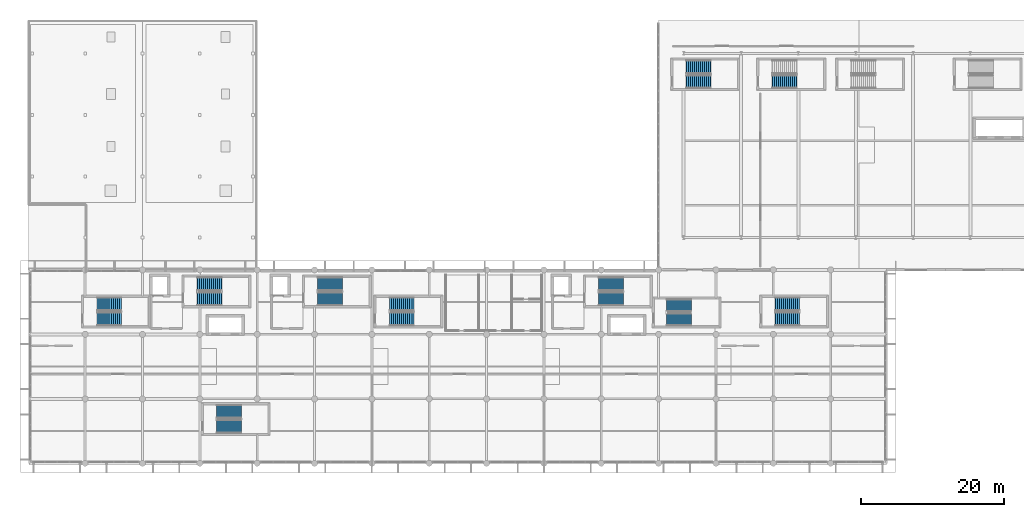
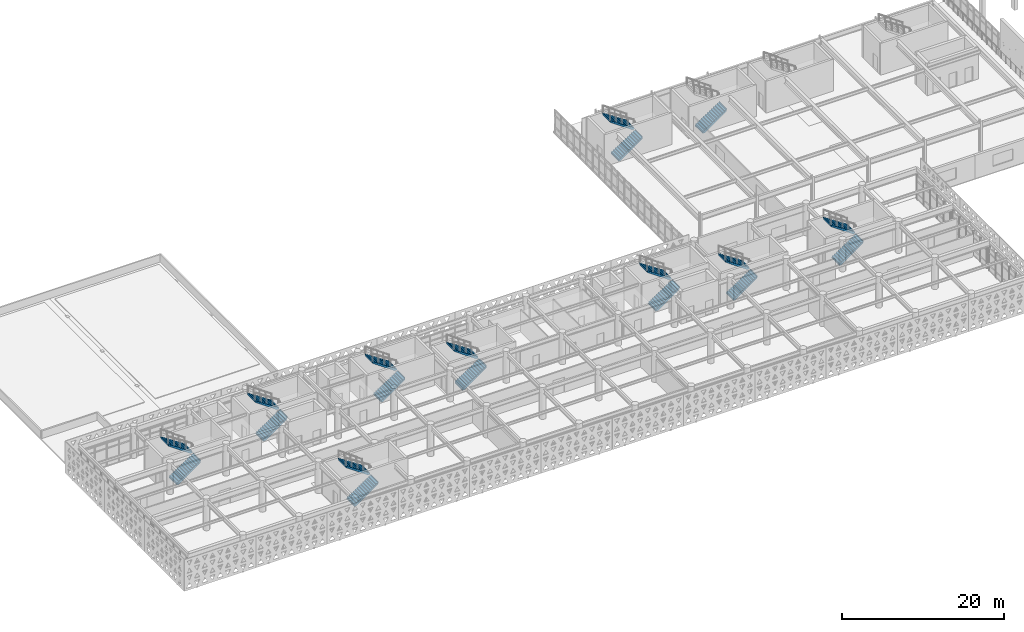
# One storey, part 41 of 54: 19 stair flights, 10 elements without a shape of their own.
"""IFC4 building model written with IfcOpenShell, lengths in metres."""

from ifc_helpers import new_model, si_unit, direction, frame, origin, place, context, subcontext, project, spatial, polyline, outline, extrude, material, type_object, element, aggregate, save


model = new_model("IFC4")

# Units and contexts
model_context = context("Model", 3, precision=1e-05, world=origin(), true_north=direction((0.0, 1.0)))
body_context = subcontext(model_context, "Body", "Model", "MODEL_VIEW")
ifc_project = project(units=[si_unit("LENGTHUNIT", "METRE"), si_unit("AREAUNIT", "SQUARE_METRE"), si_unit("VOLUMEUNIT", "CUBIC_METRE"), si_unit("PLANEANGLEUNIT", "RADIAN"), si_unit("MASSUNIT", "GRAM", prefix="KILO")], contexts=[model_context])

# Site, building, storey
site_placement = place(None, origin())
site = spatial("IfcSite", under=ifc_project, at=site_placement, CompositionType="ELEMENT")
building_placement = place(site_placement, origin())
building = spatial("IfcBuilding", under=site, at=building_placement, Name="Tlacozan Convention Centre", CompositionType="ELEMENT")
storey_placement = place(building_placement, frame((0.0, 0.0, 11.39990234375)))
storey = spatial("IfcBuildingStorey", under=building, at=storey_placement, Name="L02", CompositionType="ELEMENT", Elevation=11.39990234375)

# Stair, stair flights
ifc_material = material(Name="Concrete C40/50", Category="concrete")
stair_type_1 = type_object("IfcStairType", Name="Protected Dogleg Stair W175 H48", PredefinedType="HALF_TURN_STAIR", material=ifc_material)
stair_1_placement = place(storey_placement, origin())
stair_1 = element("IfcStair", 1, at=stair_1_placement, inside=storey, type_object=stair_type_1, Name="L02 East Belvedere Congress Stair", PredefinedType="HALF_TURN_STAIR")
stair_flight_type_1 = type_object("IfcStairFlightType", Name="Concrete Stair Flight W175 H48", PredefinedType="STRAIGHT", material=ifc_material)
stair_flight_1_placement = place(storey_placement, frame((89.14990234375, 20.074951171875, 0.0), z_axis=(0.0, 0.0, 1.0), x_axis=(1.0, 0.0, 0.0)))
stair_flight_1 = element("IfcStairFlight", 2, at=stair_flight_1_placement, type_object=stair_flight_type_1, Name="ST-15 flight 1", NumberOfRisers=13, NumberOfTreads=12, PredefinedType="STRAIGHT", RiserHeight=0.184615385, TreadLength=0.28, context=body_context, shape_type="SweptSolid", body=[
    extrude(outline(polyline([(-0.044921875, -0.14990234375), (-0.044921875, 0.0), (0.0, 0.0), (0.0, 0.1845703125), (0.280029296875, 0.1845703125), (0.280029296875, 0.369140625), (0.56005859375, 0.369140625), (0.56005859375, 0.553955078125), (0.840087890625, 0.553955078125), (0.840087890625, 0.738525390625), (1.1201171875, 0.738525390625), (1.1201171875, 0.923095703125), (1.39990234375, 0.923095703125), (1.39990234375, 1.107666015625), (1.679931640625, 1.107666015625), (1.679931640625, 1.292236328125), (1.9599609375, 1.292236328125), (1.9599609375, 1.476806640625), (2.239990234375, 1.476806640625), (2.239990234375, 1.66162109375), (2.52001953125, 1.66162109375), (2.52001953125, 1.84619140625), (2.800048828125, 1.84619140625), (2.800048828125, 2.03076171875), (3.080078125, 2.03076171875), (3.080078125, 2.21533203125), (3.360107421875, 2.21533203125), (3.360107421875, 2.39990234375), (3.405029296875, 2.39990234375), (3.405029296875, 2.25), (3.360107421875, 2.035888671875), (0.272216796875, -0.14990234375), (-0.044921875, -0.14990234375)])), frame((0.0, 0.875, 0.0), z_axis=(0.0, -1.0, 0.0), x_axis=(1.0, 0.0, 0.0)), (0.0, 0.0, 1.0), 1.75),
])
stair_flight_2_placement = place(storey_placement, frame((92.510009765625, 22.02490234375, 2.400146484375), z_axis=(0.0, 0.0, 1.0), x_axis=(-1.0, 0.0, 0.0)))
stair_flight_2 = element("IfcStairFlight", 3, at=stair_flight_2_placement, type_object=stair_flight_type_1, Name="ST-15 flight 2", NumberOfRisers=13, NumberOfTreads=12, PredefinedType="STRAIGHT", RiserHeight=0.184615385, TreadLength=0.28, context=body_context, shape_type="SweptSolid", body=[
    extrude(outline(polyline([(-0.044921875, -0.14990234375), (-0.044921875, 0.0), (0.0, 0.0), (0.0, 0.1845703125), (0.280029296875, 0.1845703125), (0.280029296875, 0.369140625), (0.56005859375, 0.369140625), (0.56005859375, 0.553955078125), (0.840087890625, 0.553955078125), (0.840087890625, 0.738525390625), (1.1201171875, 0.738525390625), (1.1201171875, 0.923095703125), (1.39990234375, 0.923095703125), (1.39990234375, 1.107666015625), (1.679931640625, 1.107666015625), (1.679931640625, 1.292236328125), (1.9599609375, 1.292236328125), (1.9599609375, 1.476806640625), (2.239990234375, 1.476806640625), (2.239990234375, 1.66162109375), (2.52001953125, 1.66162109375), (2.52001953125, 1.84619140625), (2.800048828125, 1.84619140625), (2.800048828125, 2.03076171875), (3.080078125, 2.03076171875), (3.080078125, 2.21533203125), (3.360107421875, 2.21533203125), (3.360107421875, 2.39990234375), (3.405029296875, 2.39990234375), (3.405029296875, 2.25), (3.360107421875, 2.035888671875), (0.272216796875, -0.14990234375), (-0.044921875, -0.14990234375)])), frame((0.0, 0.875, 0.0), z_axis=(0.0, -1.0, 0.0), x_axis=(1.0, 0.0, 0.0)), (0.0, 0.0, 1.0), 1.75),
])
aggregate(stair_1, [stair_flight_1, stair_flight_2])

stair_type_2 = type_object("IfcStairType", Name="Protected Dogleg Stair W188 H48", PredefinedType="HALF_TURN_STAIR", material=ifc_material)
stair_2_placement = place(storey_placement, origin())
stair_2 = element("IfcStair", 4, at=stair_2_placement, inside=storey, type_object=stair_type_2, Name="L02 West Congress Core Stair ST-01", PredefinedType="HALF_TURN_STAIR")
stair_flight_type_2 = type_object("IfcStairFlightType", Name="Concrete Stair Flight W188 H48", PredefinedType="STRAIGHT", material=ifc_material)
stair_flight_3_placement = place(storey_placement, frame((23.679931640625, 22.93994140625, 0.0), z_axis=(0.0, 0.0, 1.0), x_axis=(1.0, 0.0, 0.0)))
stair_flight_3 = element("IfcStairFlight", 5, at=stair_flight_3_placement, type_object=stair_flight_type_2, Name="ST-01 flight 1", NumberOfRisers=13, NumberOfTreads=12, PredefinedType="STRAIGHT", RiserHeight=0.184615385, TreadLength=0.28, context=body_context, shape_type="SweptSolid", body=[
    extrude(outline(polyline([(-0.044921875, -0.14990234375), (-0.044921875, 0.0), (0.0, 0.0), (0.0, 0.1845703125), (0.280029296875, 0.1845703125), (0.280029296875, 0.369140625), (0.56005859375, 0.369140625), (0.56005859375, 0.553955078125), (0.840087890625, 0.553955078125), (0.840087890625, 0.738525390625), (1.1201171875, 0.738525390625), (1.1201171875, 0.923095703125), (1.39990234375, 0.923095703125), (1.39990234375, 1.107666015625), (1.679931640625, 1.107666015625), (1.679931640625, 1.292236328125), (1.9599609375, 1.292236328125), (1.9599609375, 1.476806640625), (2.239990234375, 1.476806640625), (2.239990234375, 1.66162109375), (2.52001953125, 1.66162109375), (2.52001953125, 1.84619140625), (2.800048828125, 1.84619140625), (2.800048828125, 2.03076171875), (3.080078125, 2.03076171875), (3.080078125, 2.21533203125), (3.360107421875, 2.21533203125), (3.360107421875, 2.39990234375), (3.405029296875, 2.39990234375), (3.405029296875, 2.25), (3.360107421875, 2.035888671875), (0.272216796875, -0.14990234375), (-0.044921875, -0.14990234375)])), frame((0.0, 0.93994140625, 0.0), z_axis=(0.0, -1.0, 0.0), x_axis=(1.0, 0.0, 0.0)), (0.0, 0.0, 1.0), 1.8798828125),
])
stair_flight_4_placement = place(storey_placement, frame((27.0400390625, 25.02001953125, 2.400146484375), z_axis=(0.0, 0.0, 1.0), x_axis=(-1.0, 0.0, 0.0)))
stair_flight_4 = element("IfcStairFlight", 6, at=stair_flight_4_placement, type_object=stair_flight_type_2, Name="ST-01 flight 2", NumberOfRisers=13, NumberOfTreads=12, PredefinedType="STRAIGHT", RiserHeight=0.184615385, TreadLength=0.28, context=body_context, shape_type="SweptSolid", body=[
    extrude(outline(polyline([(-0.044921875, -0.14990234375), (-0.044921875, 0.0), (0.0, 0.0), (0.0, 0.1845703125), (0.280029296875, 0.1845703125), (0.280029296875, 0.369140625), (0.56005859375, 0.369140625), (0.56005859375, 0.553955078125), (0.840087890625, 0.553955078125), (0.840087890625, 0.738525390625), (1.1201171875, 0.738525390625), (1.1201171875, 0.923095703125), (1.39990234375, 0.923095703125), (1.39990234375, 1.107666015625), (1.679931640625, 1.107666015625), (1.679931640625, 1.292236328125), (1.9599609375, 1.292236328125), (1.9599609375, 1.476806640625), (2.239990234375, 1.476806640625), (2.239990234375, 1.66162109375), (2.52001953125, 1.66162109375), (2.52001953125, 1.84619140625), (2.800048828125, 1.84619140625), (2.800048828125, 2.03076171875), (3.080078125, 2.03076171875), (3.080078125, 2.21533203125), (3.360107421875, 2.21533203125), (3.360107421875, 2.39990234375), (3.405029296875, 2.39990234375), (3.405029296875, 2.25), (3.360107421875, 2.035888671875), (0.272216796875, -0.14990234375), (-0.044921875, -0.14990234375)])), frame((0.0, 0.93994140625, 0.0), z_axis=(0.0, -1.0, 0.0), x_axis=(1.0, 0.0, 0.0)), (0.0, 0.0, 1.0), 1.8798828125),
])
aggregate(stair_2, [stair_flight_3, stair_flight_4])

stair_3_placement = place(storey_placement, origin())
stair_3 = element("IfcStair", 7, at=stair_3_placement, inside=storey, type_object=stair_type_2, Name="L02 East Congress Core Stair ST-02", PredefinedType="HALF_TURN_STAIR")
stair_flight_5_placement = place(storey_placement, frame((79.679931640625, 22.93994140625, 0.0), z_axis=(0.0, 0.0, 1.0), x_axis=(1.0, 0.0, 0.0)))
stair_flight_5 = element("IfcStairFlight", 8, at=stair_flight_5_placement, type_object=stair_flight_type_2, Name="ST-02 flight 1", NumberOfRisers=13, NumberOfTreads=12, PredefinedType="STRAIGHT", RiserHeight=0.184615385, TreadLength=0.28, context=body_context, shape_type="SweptSolid", body=[
    extrude(outline(polyline([(-0.044921875, -0.14990234375), (-0.044921875, 0.0), (0.0, 0.0), (0.0, 0.1845703125), (0.280029296875, 0.1845703125), (0.280029296875, 0.369140625), (0.56005859375, 0.369140625), (0.56005859375, 0.553955078125), (0.840087890625, 0.553955078125), (0.840087890625, 0.738525390625), (1.1201171875, 0.738525390625), (1.1201171875, 0.923095703125), (1.39990234375, 0.923095703125), (1.39990234375, 1.107666015625), (1.679931640625, 1.107666015625), (1.679931640625, 1.292236328125), (1.9599609375, 1.292236328125), (1.9599609375, 1.476806640625), (2.239990234375, 1.476806640625), (2.239990234375, 1.66162109375), (2.52001953125, 1.66162109375), (2.52001953125, 1.84619140625), (2.800048828125, 1.84619140625), (2.800048828125, 2.03076171875), (3.080078125, 2.03076171875), (3.080078125, 2.21533203125), (3.360107421875, 2.21533203125), (3.360107421875, 2.39990234375), (3.405029296875, 2.39990234375), (3.405029296875, 2.25), (3.360107421875, 2.035888671875), (0.272216796875, -0.14990234375), (-0.044921875, -0.14990234375)])), frame((0.0, 0.93994140625, 0.0), z_axis=(0.0, -1.0, 0.0), x_axis=(1.0, 0.0, 0.0)), (0.0, 0.0, 1.0), 1.8798828125),
])
stair_flight_6_placement = place(storey_placement, frame((83.0400390625, 25.02001953125, 2.400146484375), z_axis=(0.0, 0.0, 1.0), x_axis=(-1.0, 0.0, 0.0)))
stair_flight_6 = element("IfcStairFlight", 9, at=stair_flight_6_placement, type_object=stair_flight_type_2, Name="ST-02 flight 2", NumberOfRisers=13, NumberOfTreads=12, PredefinedType="STRAIGHT", RiserHeight=0.184615385, TreadLength=0.28, context=body_context, shape_type="SweptSolid", body=[
    extrude(outline(polyline([(-0.044921875, -0.14990234375), (-0.044921875, 0.0), (0.0, 0.0), (0.0, 0.1845703125), (0.280029296875, 0.1845703125), (0.280029296875, 0.369140625), (0.56005859375, 0.369140625), (0.56005859375, 0.553955078125), (0.840087890625, 0.553955078125), (0.840087890625, 0.738525390625), (1.1201171875, 0.738525390625), (1.1201171875, 0.923095703125), (1.39990234375, 0.923095703125), (1.39990234375, 1.107666015625), (1.679931640625, 1.107666015625), (1.679931640625, 1.292236328125), (1.9599609375, 1.292236328125), (1.9599609375, 1.476806640625), (2.239990234375, 1.476806640625), (2.239990234375, 1.66162109375), (2.52001953125, 1.66162109375), (2.52001953125, 1.84619140625), (2.800048828125, 1.84619140625), (2.800048828125, 2.03076171875), (3.080078125, 2.03076171875), (3.080078125, 2.21533203125), (3.360107421875, 2.21533203125), (3.360107421875, 2.39990234375), (3.405029296875, 2.39990234375), (3.405029296875, 2.25), (3.360107421875, 2.035888671875), (0.272216796875, -0.14990234375), (-0.044921875, -0.14990234375)])), frame((0.0, 0.93994140625, 0.0), z_axis=(0.0, -1.0, 0.0), x_axis=(1.0, 0.0, 0.0)), (0.0, 0.0, 1.0), 1.8798828125),
])
aggregate(stair_3, [stair_flight_5, stair_flight_6])

stair_4_placement = place(storey_placement, origin())
stair_4 = element("IfcStair", 10, at=stair_4_placement, inside=storey, type_object=stair_type_2, Name="L02 Central Congress Core Stair ST-04", PredefinedType="HALF_TURN_STAIR")
stair_flight_7_placement = place(storey_placement, frame((40.47998046875, 22.93994140625, 0.0), z_axis=(0.0, 0.0, 1.0), x_axis=(1.0, 0.0, 0.0)))
stair_flight_7 = element("IfcStairFlight", 11, at=stair_flight_7_placement, type_object=stair_flight_type_2, Name="ST-04 flight 1", NumberOfRisers=13, NumberOfTreads=12, PredefinedType="STRAIGHT", RiserHeight=0.184615385, TreadLength=0.28, context=body_context, shape_type="SweptSolid", body=[
    extrude(outline(polyline([(-0.044921875, -0.14990234375), (-0.044921875, 0.0), (0.0, 0.0), (0.0, 0.1845703125), (0.280029296875, 0.1845703125), (0.280029296875, 0.369140625), (0.56005859375, 0.369140625), (0.56005859375, 0.553955078125), (0.840087890625, 0.553955078125), (0.840087890625, 0.738525390625), (1.1201171875, 0.738525390625), (1.1201171875, 0.923095703125), (1.39990234375, 0.923095703125), (1.39990234375, 1.107666015625), (1.679931640625, 1.107666015625), (1.679931640625, 1.292236328125), (1.9599609375, 1.292236328125), (1.9599609375, 1.476806640625), (2.239990234375, 1.476806640625), (2.239990234375, 1.66162109375), (2.52001953125, 1.66162109375), (2.52001953125, 1.84619140625), (2.800048828125, 1.84619140625), (2.800048828125, 2.03076171875), (3.080078125, 2.03076171875), (3.080078125, 2.21533203125), (3.360107421875, 2.21533203125), (3.360107421875, 2.39990234375), (3.405029296875, 2.39990234375), (3.405029296875, 2.25), (3.360107421875, 2.035888671875), (0.272216796875, -0.14990234375), (-0.044921875, -0.14990234375)])), frame((0.0, 0.93994140625, 0.0), z_axis=(0.0, -1.0, 0.0), x_axis=(1.0, 0.0, 0.0)), (0.0, 0.0, 1.0), 1.8798828125),
])
stair_flight_8_placement = place(storey_placement, frame((43.840087890625, 25.02001953125, 2.400146484375), z_axis=(0.0, 0.0, 1.0), x_axis=(-1.0, 0.0, 0.0)))
stair_flight_8 = element("IfcStairFlight", 12, at=stair_flight_8_placement, type_object=stair_flight_type_2, Name="ST-04 flight 2", NumberOfRisers=13, NumberOfTreads=12, PredefinedType="STRAIGHT", RiserHeight=0.184615385, TreadLength=0.28, context=body_context, shape_type="SweptSolid", body=[
    extrude(outline(polyline([(-0.044921875, -0.14990234375), (-0.044921875, 0.0), (0.0, 0.0), (0.0, 0.1845703125), (0.280029296875, 0.1845703125), (0.280029296875, 0.369140625), (0.56005859375, 0.369140625), (0.56005859375, 0.553955078125), (0.840087890625, 0.553955078125), (0.840087890625, 0.738525390625), (1.1201171875, 0.738525390625), (1.1201171875, 0.923095703125), (1.39990234375, 0.923095703125), (1.39990234375, 1.107666015625), (1.679931640625, 1.107666015625), (1.679931640625, 1.292236328125), (1.9599609375, 1.292236328125), (1.9599609375, 1.476806640625), (2.239990234375, 1.476806640625), (2.239990234375, 1.66162109375), (2.52001953125, 1.66162109375), (2.52001953125, 1.84619140625), (2.800048828125, 1.84619140625), (2.800048828125, 2.03076171875), (3.080078125, 2.03076171875), (3.080078125, 2.21533203125), (3.360107421875, 2.21533203125), (3.360107421875, 2.39990234375), (3.405029296875, 2.39990234375), (3.405029296875, 2.25), (3.360107421875, 2.035888671875), (0.272216796875, -0.14990234375), (-0.044921875, -0.14990234375)])), frame((0.0, 0.93994140625, 0.0), z_axis=(0.0, -1.0, 0.0), x_axis=(1.0, 0.0, 0.0)), (0.0, 0.0, 1.0), 1.8798828125),
])
aggregate(stair_4, [stair_flight_7, stair_flight_8])

stair_5_placement = place(storey_placement, origin())
stair_5 = element("IfcStair", 13, at=stair_5_placement, inside=storey, type_object=stair_type_2, Name="L02 East Congress Stair", PredefinedType="HALF_TURN_STAIR")
stair_flight_9_placement = place(storey_placement, frame((104.280029296875, 20.139892578125, 0.0), z_axis=(0.0, 0.0, 1.0), x_axis=(1.0, 0.0, 0.0)))
stair_flight_9 = element("IfcStairFlight", 14, at=stair_flight_9_placement, type_object=stair_flight_type_2, Name="ST-05 flight 1", NumberOfRisers=13, NumberOfTreads=12, PredefinedType="STRAIGHT", RiserHeight=0.184615385, TreadLength=0.28, context=body_context, shape_type="SweptSolid", body=[
    extrude(outline(polyline([(-0.044921875, -0.14990234375), (-0.044921875, 0.0), (0.0, 0.0), (0.0, 0.1845703125), (0.280029296875, 0.1845703125), (0.280029296875, 0.369140625), (0.56005859375, 0.369140625), (0.56005859375, 0.553955078125), (0.840087890625, 0.553955078125), (0.840087890625, 0.738525390625), (1.1201171875, 0.738525390625), (1.1201171875, 0.923095703125), (1.39990234375, 0.923095703125), (1.39990234375, 1.107666015625), (1.679931640625, 1.107666015625), (1.679931640625, 1.292236328125), (1.9599609375, 1.292236328125), (1.9599609375, 1.476806640625), (2.239990234375, 1.476806640625), (2.239990234375, 1.66162109375), (2.52001953125, 1.66162109375), (2.52001953125, 1.84619140625), (2.800048828125, 1.84619140625), (2.800048828125, 2.03076171875), (3.080078125, 2.03076171875), (3.080078125, 2.21533203125), (3.360107421875, 2.21533203125), (3.360107421875, 2.39990234375), (3.405029296875, 2.39990234375), (3.405029296875, 2.25), (3.360107421875, 2.035888671875), (0.272216796875, -0.14990234375), (-0.044921875, -0.14990234375)])), frame((0.0, 0.93994140625, 0.0), z_axis=(0.0, -1.0, 0.0), x_axis=(1.0, 0.0, 0.0)), (0.0, 0.0, 1.0), 1.8798828125),
])
stair_flight_10_placement = place(storey_placement, frame((107.639892578125, 22.219970703125, 2.400146484375), z_axis=(0.0, 0.0, 1.0), x_axis=(-1.0, 0.0, 0.0)))
stair_flight_10 = element("IfcStairFlight", 15, at=stair_flight_10_placement, type_object=stair_flight_type_2, Name="ST-05 flight 2", NumberOfRisers=13, NumberOfTreads=12, PredefinedType="STRAIGHT", RiserHeight=0.184615385, TreadLength=0.28, context=body_context, shape_type="SweptSolid", body=[
    extrude(outline(polyline([(-0.044921875, -0.14990234375), (-0.044921875, 0.0), (0.0, 0.0), (0.0, 0.1845703125), (0.280029296875, 0.1845703125), (0.280029296875, 0.369140625), (0.56005859375, 0.369140625), (0.56005859375, 0.553955078125), (0.840087890625, 0.553955078125), (0.840087890625, 0.738525390625), (1.1201171875, 0.738525390625), (1.1201171875, 0.923095703125), (1.39990234375, 0.923095703125), (1.39990234375, 1.107666015625), (1.679931640625, 1.107666015625), (1.679931640625, 1.292236328125), (1.9599609375, 1.292236328125), (1.9599609375, 1.476806640625), (2.239990234375, 1.476806640625), (2.239990234375, 1.66162109375), (2.52001953125, 1.66162109375), (2.52001953125, 1.84619140625), (2.800048828125, 1.84619140625), (2.800048828125, 2.03076171875), (3.080078125, 2.03076171875), (3.080078125, 2.21533203125), (3.360107421875, 2.21533203125), (3.360107421875, 2.39990234375), (3.405029296875, 2.39990234375), (3.405029296875, 2.25), (3.360107421875, 2.035888671875), (0.272216796875, -0.14990234375), (-0.044921875, -0.14990234375)])), frame((0.0, 0.93994140625, 0.0), z_axis=(0.0, -1.0, 0.0), x_axis=(1.0, 0.0, 0.0)), (0.0, 0.0, 1.0), 1.8798828125),
])
aggregate(stair_5, [stair_flight_9, stair_flight_10])

stair_6_placement = place(storey_placement, origin())
stair_6 = element("IfcStair", 16, at=stair_6_placement, inside=storey, type_object=stair_type_2, Name="L02 West Belvedere Congress Stair", PredefinedType="HALF_TURN_STAIR")
stair_flight_11_placement = place(storey_placement, frame((9.679931640625, 20.139892578125, 0.0), z_axis=(0.0, 0.0, 1.0), x_axis=(1.0, 0.0, 0.0)))
stair_flight_11 = element("IfcStairFlight", 17, at=stair_flight_11_placement, type_object=stair_flight_type_2, Name="ST-13 flight 1", NumberOfRisers=13, NumberOfTreads=12, PredefinedType="STRAIGHT", RiserHeight=0.184615385, TreadLength=0.28, context=body_context, shape_type="SweptSolid", body=[
    extrude(outline(polyline([(-0.044921875, -0.14990234375), (-0.044921875, 0.0), (0.0, 0.0), (0.0, 0.1845703125), (0.280029296875, 0.1845703125), (0.280029296875, 0.369140625), (0.56005859375, 0.369140625), (0.56005859375, 0.553955078125), (0.840087890625, 0.553955078125), (0.840087890625, 0.738525390625), (1.1201171875, 0.738525390625), (1.1201171875, 0.923095703125), (1.39990234375, 0.923095703125), (1.39990234375, 1.107666015625), (1.679931640625, 1.107666015625), (1.679931640625, 1.292236328125), (1.9599609375, 1.292236328125), (1.9599609375, 1.476806640625), (2.239990234375, 1.476806640625), (2.239990234375, 1.66162109375), (2.52001953125, 1.66162109375), (2.52001953125, 1.84619140625), (2.800048828125, 1.84619140625), (2.800048828125, 2.03076171875), (3.080078125, 2.03076171875), (3.080078125, 2.21533203125), (3.360107421875, 2.21533203125), (3.360107421875, 2.39990234375), (3.405029296875, 2.39990234375), (3.405029296875, 2.25), (3.360107421875, 2.035888671875), (0.272216796875, -0.14990234375), (-0.044921875, -0.14990234375)])), frame((0.0, 0.93994140625, 0.0), z_axis=(0.0, -1.0, 0.0), x_axis=(1.0, 0.0, 0.0)), (0.0, 0.0, 1.0), 1.8798828125),
])
stair_flight_12_placement = place(storey_placement, frame((13.0400390625, 22.219970703125, 2.400146484375), z_axis=(0.0, 0.0, 1.0), x_axis=(-1.0, 0.0, 0.0)))
stair_flight_12 = element("IfcStairFlight", 18, at=stair_flight_12_placement, type_object=stair_flight_type_2, Name="ST-13 flight 2", NumberOfRisers=13, NumberOfTreads=12, PredefinedType="STRAIGHT", RiserHeight=0.184615385, TreadLength=0.28, context=body_context, shape_type="SweptSolid", body=[
    extrude(outline(polyline([(-0.044921875, -0.14990234375), (-0.044921875, 0.0), (0.0, 0.0), (0.0, 0.1845703125), (0.280029296875, 0.1845703125), (0.280029296875, 0.369140625), (0.56005859375, 0.369140625), (0.56005859375, 0.553955078125), (0.840087890625, 0.553955078125), (0.840087890625, 0.738525390625), (1.1201171875, 0.738525390625), (1.1201171875, 0.923095703125), (1.39990234375, 0.923095703125), (1.39990234375, 1.107666015625), (1.679931640625, 1.107666015625), (1.679931640625, 1.292236328125), (1.9599609375, 1.292236328125), (1.9599609375, 1.476806640625), (2.239990234375, 1.476806640625), (2.239990234375, 1.66162109375), (2.52001953125, 1.66162109375), (2.52001953125, 1.84619140625), (2.800048828125, 1.84619140625), (2.800048828125, 2.03076171875), (3.080078125, 2.03076171875), (3.080078125, 2.21533203125), (3.360107421875, 2.21533203125), (3.360107421875, 2.39990234375), (3.405029296875, 2.39990234375), (3.405029296875, 2.25), (3.360107421875, 2.035888671875), (0.272216796875, -0.14990234375), (-0.044921875, -0.14990234375)])), frame((0.0, 0.93994140625, 0.0), z_axis=(0.0, -1.0, 0.0), x_axis=(1.0, 0.0, 0.0)), (0.0, 0.0, 1.0), 1.8798828125),
])
aggregate(stair_6, [stair_flight_11, stair_flight_12])

stair_7_placement = place(storey_placement, origin())
stair_7 = element("IfcStair", 19, at=stair_7_placement, inside=storey, type_object=stair_type_2, Name="L02 Central Promenade Congress Stair", PredefinedType="HALF_TURN_STAIR")
stair_flight_13_placement = place(storey_placement, frame((50.47998046875, 20.139892578125, 0.0), z_axis=(0.0, 0.0, 1.0), x_axis=(1.0, 0.0, 0.0)))
stair_flight_13 = element("IfcStairFlight", 20, at=stair_flight_13_placement, type_object=stair_flight_type_2, Name="ST-14 flight 1", NumberOfRisers=13, NumberOfTreads=12, PredefinedType="STRAIGHT", RiserHeight=0.184615385, TreadLength=0.28, context=body_context, shape_type="SweptSolid", body=[
    extrude(outline(polyline([(-0.044921875, -0.14990234375), (-0.044921875, 0.0), (0.0, 0.0), (0.0, 0.1845703125), (0.280029296875, 0.1845703125), (0.280029296875, 0.369140625), (0.56005859375, 0.369140625), (0.56005859375, 0.553955078125), (0.840087890625, 0.553955078125), (0.840087890625, 0.738525390625), (1.1201171875, 0.738525390625), (1.1201171875, 0.923095703125), (1.39990234375, 0.923095703125), (1.39990234375, 1.107666015625), (1.679931640625, 1.107666015625), (1.679931640625, 1.292236328125), (1.9599609375, 1.292236328125), (1.9599609375, 1.476806640625), (2.239990234375, 1.476806640625), (2.239990234375, 1.66162109375), (2.52001953125, 1.66162109375), (2.52001953125, 1.84619140625), (2.800048828125, 1.84619140625), (2.800048828125, 2.03076171875), (3.080078125, 2.03076171875), (3.080078125, 2.21533203125), (3.360107421875, 2.21533203125), (3.360107421875, 2.39990234375), (3.405029296875, 2.39990234375), (3.405029296875, 2.25), (3.360107421875, 2.035888671875), (0.272216796875, -0.14990234375), (-0.044921875, -0.14990234375)])), frame((0.0, 0.93994140625, 0.0), z_axis=(0.0, -1.0, 0.0), x_axis=(1.0, 0.0, 0.0)), (0.0, 0.0, 1.0), 1.8798828125),
])
stair_flight_14_placement = place(storey_placement, frame((53.840087890625, 22.219970703125, 2.400146484375), z_axis=(0.0, 0.0, 1.0), x_axis=(-1.0, 0.0, 0.0)))
stair_flight_14 = element("IfcStairFlight", 21, at=stair_flight_14_placement, type_object=stair_flight_type_2, Name="ST-14 flight 2", NumberOfRisers=13, NumberOfTreads=12, PredefinedType="STRAIGHT", RiserHeight=0.184615385, TreadLength=0.28, context=body_context, shape_type="SweptSolid", body=[
    extrude(outline(polyline([(-0.044921875, -0.14990234375), (-0.044921875, 0.0), (0.0, 0.0), (0.0, 0.1845703125), (0.280029296875, 0.1845703125), (0.280029296875, 0.369140625), (0.56005859375, 0.369140625), (0.56005859375, 0.553955078125), (0.840087890625, 0.553955078125), (0.840087890625, 0.738525390625), (1.1201171875, 0.738525390625), (1.1201171875, 0.923095703125), (1.39990234375, 0.923095703125), (1.39990234375, 1.107666015625), (1.679931640625, 1.107666015625), (1.679931640625, 1.292236328125), (1.9599609375, 1.292236328125), (1.9599609375, 1.476806640625), (2.239990234375, 1.476806640625), (2.239990234375, 1.66162109375), (2.52001953125, 1.66162109375), (2.52001953125, 1.84619140625), (2.800048828125, 1.84619140625), (2.800048828125, 2.03076171875), (3.080078125, 2.03076171875), (3.080078125, 2.21533203125), (3.360107421875, 2.21533203125), (3.360107421875, 2.39990234375), (3.405029296875, 2.39990234375), (3.405029296875, 2.25), (3.360107421875, 2.035888671875), (0.272216796875, -0.14990234375), (-0.044921875, -0.14990234375)])), frame((0.0, 0.93994140625, 0.0), z_axis=(0.0, -1.0, 0.0), x_axis=(1.0, 0.0, 0.0)), (0.0, 0.0, 1.0), 1.8798828125),
])
aggregate(stair_7, [stair_flight_13, stair_flight_14])

stair_8_placement = place(storey_placement, origin())
stair_8 = element("IfcStair", 22, at=stair_8_placement, inside=storey, type_object=stair_type_2, Name="L02 West Concourse Grand Stair", PredefinedType="HALF_TURN_STAIR")
stair_flight_15_placement = place(storey_placement, frame((26.3798828125, 5.139892578125, 0.0), z_axis=(0.0, 0.0, 1.0), x_axis=(1.0, 0.0, 0.0)))
stair_flight_15 = element("IfcStairFlight", 23, at=stair_flight_15_placement, type_object=stair_flight_type_2, Name="ST-16 flight 1", NumberOfRisers=13, NumberOfTreads=12, PredefinedType="STRAIGHT", RiserHeight=0.184615385, TreadLength=0.28, context=body_context, shape_type="SweptSolid", body=[
    extrude(outline(polyline([(-0.044921875, -0.14990234375), (-0.044921875, 0.0), (0.0, 0.0), (0.0, 0.1845703125), (0.280029296875, 0.1845703125), (0.280029296875, 0.369140625), (0.56005859375, 0.369140625), (0.56005859375, 0.553955078125), (0.840087890625, 0.553955078125), (0.840087890625, 0.738525390625), (1.1201171875, 0.738525390625), (1.1201171875, 0.923095703125), (1.39990234375, 0.923095703125), (1.39990234375, 1.107666015625), (1.679931640625, 1.107666015625), (1.679931640625, 1.292236328125), (1.9599609375, 1.292236328125), (1.9599609375, 1.476806640625), (2.239990234375, 1.476806640625), (2.239990234375, 1.66162109375), (2.52001953125, 1.66162109375), (2.52001953125, 1.84619140625), (2.800048828125, 1.84619140625), (2.800048828125, 2.03076171875), (3.080078125, 2.03076171875), (3.080078125, 2.21533203125), (3.360107421875, 2.21533203125), (3.360107421875, 2.39990234375), (3.405029296875, 2.39990234375), (3.405029296875, 2.25), (3.360107421875, 2.035888671875), (0.272216796875, -0.14990234375), (-0.044921875, -0.14990234375)])), frame((0.0, 0.93994140625, 0.0), z_axis=(0.0, -1.0, 0.0), x_axis=(1.0, 0.0, 0.0)), (0.0, 0.0, 1.0), 1.8798828125),
])
stair_flight_16_placement = place(storey_placement, frame((29.739990234375, 7.219970703125, 2.400146484375), z_axis=(0.0, 0.0, 1.0), x_axis=(-1.0, 0.0, 0.0)))
stair_flight_16 = element("IfcStairFlight", 24, at=stair_flight_16_placement, type_object=stair_flight_type_2, Name="ST-16 flight 2", NumberOfRisers=13, NumberOfTreads=12, PredefinedType="STRAIGHT", RiserHeight=0.184615385, TreadLength=0.28, context=body_context, shape_type="SweptSolid", body=[
    extrude(outline(polyline([(-0.044921875, -0.14990234375), (-0.044921875, 0.0), (0.0, 0.0), (0.0, 0.1845703125), (0.280029296875, 0.1845703125), (0.280029296875, 0.369140625), (0.56005859375, 0.369140625), (0.56005859375, 0.553955078125), (0.840087890625, 0.553955078125), (0.840087890625, 0.738525390625), (1.1201171875, 0.738525390625), (1.1201171875, 0.923095703125), (1.39990234375, 0.923095703125), (1.39990234375, 1.107666015625), (1.679931640625, 1.107666015625), (1.679931640625, 1.292236328125), (1.9599609375, 1.292236328125), (1.9599609375, 1.476806640625), (2.239990234375, 1.476806640625), (2.239990234375, 1.66162109375), (2.52001953125, 1.66162109375), (2.52001953125, 1.84619140625), (2.800048828125, 1.84619140625), (2.800048828125, 2.03076171875), (3.080078125, 2.03076171875), (3.080078125, 2.21533203125), (3.360107421875, 2.21533203125), (3.360107421875, 2.39990234375), (3.405029296875, 2.39990234375), (3.405029296875, 2.25), (3.360107421875, 2.035888671875), (0.272216796875, -0.14990234375), (-0.044921875, -0.14990234375)])), frame((0.0, 0.93994140625, 0.0), z_axis=(0.0, -1.0, 0.0), x_axis=(1.0, 0.0, 0.0)), (0.0, 0.0, 1.0), 1.8798828125),
])
aggregate(stair_8, [stair_flight_15, stair_flight_16])

stair_9_placement = place(storey_placement, origin())
stair_9 = element("IfcStair", 25, at=stair_9_placement, inside=storey, type_object=stair_type_2, Name="L02 Ballroom West Stair", PredefinedType="HALF_TURN_STAIR")
stair_flight_17_placement = place(storey_placement, frame((91.8798828125, 53.239990234375, 0.0), z_axis=(0.0, 0.0, 1.0), x_axis=(1.0, 0.0, 0.0)))
stair_flight_17 = element("IfcStairFlight", 26, at=stair_flight_17_placement, type_object=stair_flight_type_2, Name="ST-06 flight 1", NumberOfRisers=13, NumberOfTreads=12, PredefinedType="STRAIGHT", RiserHeight=0.184615385, TreadLength=0.28, context=body_context, shape_type="SweptSolid", body=[
    extrude(outline(polyline([(-0.044921875, -0.14990234375), (-0.044921875, 0.0), (0.0, 0.0), (0.0, 0.1845703125), (0.280029296875, 0.1845703125), (0.280029296875, 0.369140625), (0.56005859375, 0.369140625), (0.56005859375, 0.553955078125), (0.840087890625, 0.553955078125), (0.840087890625, 0.738525390625), (1.1201171875, 0.738525390625), (1.1201171875, 0.923095703125), (1.39990234375, 0.923095703125), (1.39990234375, 1.107666015625), (1.679931640625, 1.107666015625), (1.679931640625, 1.292236328125), (1.9599609375, 1.292236328125), (1.9599609375, 1.476806640625), (2.239990234375, 1.476806640625), (2.239990234375, 1.66162109375), (2.52001953125, 1.66162109375), (2.52001953125, 1.84619140625), (2.800048828125, 1.84619140625), (2.800048828125, 2.03076171875), (3.080078125, 2.03076171875), (3.080078125, 2.21533203125), (3.360107421875, 2.21533203125), (3.360107421875, 2.39990234375), (3.405029296875, 2.39990234375), (3.405029296875, 2.25), (3.360107421875, 2.035888671875), (0.272216796875, -0.14990234375), (-0.044921875, -0.14990234375)])), frame((0.0, 0.93994140625, 0.0), z_axis=(0.0, -1.0, 0.0), x_axis=(1.0, 0.0, 0.0)), (0.0, 0.0, 1.0), 1.8798828125),
])
stair_flight_18_placement = place(storey_placement, frame((95.239990234375, 55.320068359375, 2.400146484375), z_axis=(0.0, 0.0, 1.0), x_axis=(-1.0, 0.0, 0.0)))
stair_flight_18 = element("IfcStairFlight", 27, at=stair_flight_18_placement, type_object=stair_flight_type_2, Name="ST-06 flight 2", NumberOfRisers=13, NumberOfTreads=12, PredefinedType="STRAIGHT", RiserHeight=0.184615385, TreadLength=0.28, context=body_context, shape_type="SweptSolid", body=[
    extrude(outline(polyline([(-0.044921875, -0.14990234375), (-0.044921875, 0.0), (0.0, 0.0), (0.0, 0.1845703125), (0.280029296875, 0.1845703125), (0.280029296875, 0.369140625), (0.56005859375, 0.369140625), (0.56005859375, 0.553955078125), (0.840087890625, 0.553955078125), (0.840087890625, 0.738525390625), (1.1201171875, 0.738525390625), (1.1201171875, 0.923095703125), (1.39990234375, 0.923095703125), (1.39990234375, 1.107666015625), (1.679931640625, 1.107666015625), (1.679931640625, 1.292236328125), (1.9599609375, 1.292236328125), (1.9599609375, 1.476806640625), (2.239990234375, 1.476806640625), (2.239990234375, 1.66162109375), (2.52001953125, 1.66162109375), (2.52001953125, 1.84619140625), (2.800048828125, 1.84619140625), (2.800048828125, 2.03076171875), (3.080078125, 2.03076171875), (3.080078125, 2.21533203125), (3.360107421875, 2.21533203125), (3.360107421875, 2.39990234375), (3.405029296875, 2.39990234375), (3.405029296875, 2.25), (3.360107421875, 2.035888671875), (0.272216796875, -0.14990234375), (-0.044921875, -0.14990234375)])), frame((0.0, 0.93994140625, 0.0), z_axis=(0.0, -1.0, 0.0), x_axis=(1.0, 0.0, 0.0)), (0.0, 0.0, 1.0), 1.8798828125),
])
aggregate(stair_9, [stair_flight_17, stair_flight_18])

# Stair, stair flight
stair_10_placement = place(storey_placement, origin())
stair_10 = element("IfcStair", 28, at=stair_10_placement, inside=storey, type_object=stair_type_2, Name="L02 Ballroom Courtyard Stair", PredefinedType="HALF_TURN_STAIR")
stair_flight_19_placement = place(storey_placement, frame((103.8798828125, 53.239990234375, 0.0), z_axis=(0.0, 0.0, 1.0), x_axis=(1.0, 0.0, 0.0)))
stair_flight_19 = element("IfcStairFlight", 29, at=stair_flight_19_placement, type_object=stair_flight_type_2, Name="ST-17 flight 1", NumberOfRisers=13, NumberOfTreads=12, PredefinedType="STRAIGHT", RiserHeight=0.184615385, TreadLength=0.28, context=body_context, shape_type="SweptSolid", body=[
    extrude(outline(polyline([(-0.044921875, -0.14990234375), (-0.044921875, 0.0), (0.0, 0.0), (0.0, 0.1845703125), (0.280029296875, 0.1845703125), (0.280029296875, 0.369140625), (0.56005859375, 0.369140625), (0.56005859375, 0.553955078125), (0.840087890625, 0.553955078125), (0.840087890625, 0.738525390625), (1.1201171875, 0.738525390625), (1.1201171875, 0.923095703125), (1.39990234375, 0.923095703125), (1.39990234375, 1.107666015625), (1.679931640625, 1.107666015625), (1.679931640625, 1.292236328125), (1.9599609375, 1.292236328125), (1.9599609375, 1.476806640625), (2.239990234375, 1.476806640625), (2.239990234375, 1.66162109375), (2.52001953125, 1.66162109375), (2.52001953125, 1.84619140625), (2.800048828125, 1.84619140625), (2.800048828125, 2.03076171875), (3.080078125, 2.03076171875), (3.080078125, 2.21533203125), (3.360107421875, 2.21533203125), (3.360107421875, 2.39990234375), (3.405029296875, 2.39990234375), (3.405029296875, 2.25), (3.360107421875, 2.035888671875), (0.272216796875, -0.14990234375), (-0.044921875, -0.14990234375)])), frame((0.0, 0.93994140625, 0.0), z_axis=(0.0, -1.0, 0.0), x_axis=(1.0, 0.0, 0.0)), (0.0, 0.0, 1.0), 1.8798828125),
])
aggregate(stair_10, [stair_flight_19])

save(model, "model.ifc")
